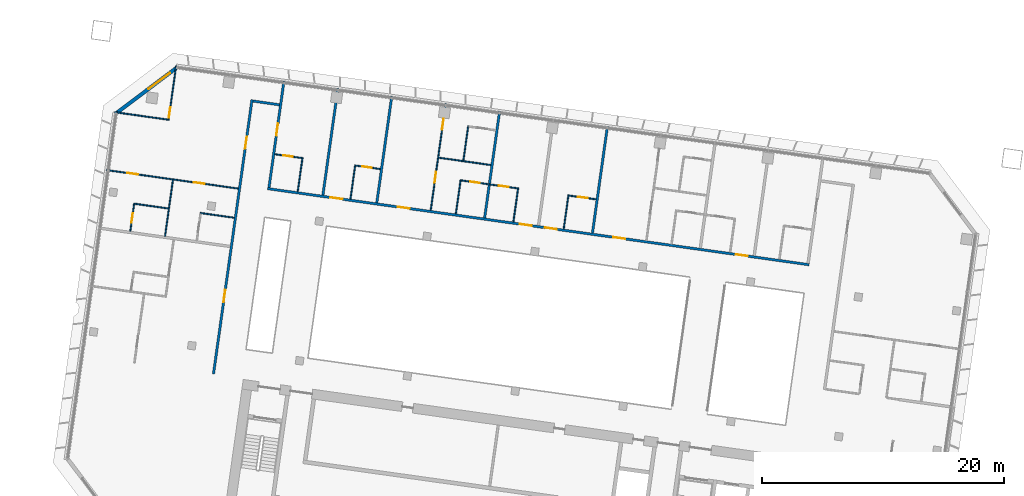
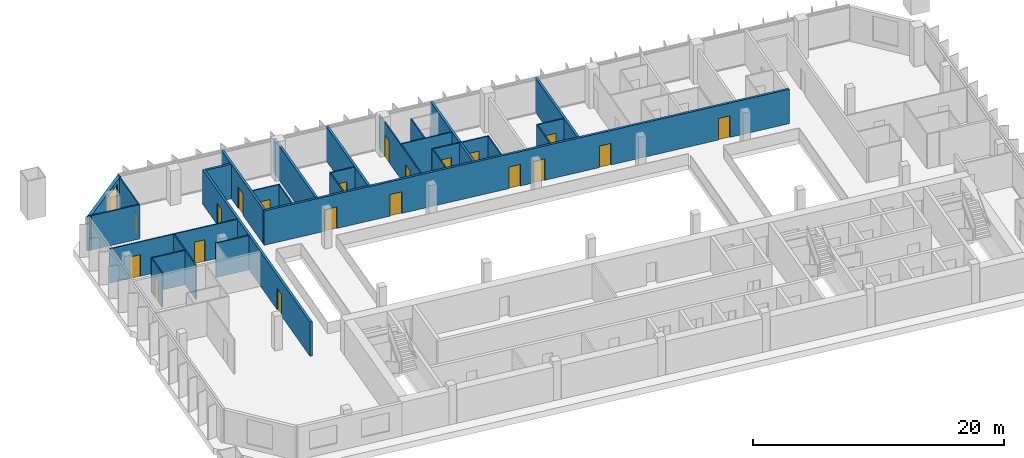
# One storey, part 17 of 26: 28 walls, 20 doors, 1 window, 21 openings.
"""IFC4 building model written with IfcOpenShell, lengths in metres."""

from ifc_helpers import new_model, si_unit, direction, frame, frame_2d, origin, place, context, subcontext, project, spatial, rectangle, extrude, material, layer, layer_set, type_object, element, fill, save


model = new_model("IFC4")

# Units and contexts
model_context = context("Model", 3, precision=1e-05, world=origin(), true_north=direction((0.0, 1.0)))
body_context = subcontext(model_context, "Body", "Model", "MODEL_VIEW")
ifc_project = project(units=[si_unit("LENGTHUNIT", "METRE"), si_unit("AREAUNIT", "SQUARE_METRE"), si_unit("VOLUMEUNIT", "CUBIC_METRE"), si_unit("PLANEANGLEUNIT", "RADIAN"), si_unit("MASSUNIT", "GRAM", prefix="KILO")], contexts=[model_context])

# Site, building, storey
site_placement = place(None, origin())
site = spatial("IfcSite", under=ifc_project, at=site_placement, CompositionType="ELEMENT")
building_placement = place(site_placement, origin())
building = spatial("IfcBuilding", under=site, at=building_placement, Name="Mirante Cascada Hotel Towers", CompositionType="ELEMENT")
storey_placement = place(building_placement, frame((0.0, 0.0, 144.3)))
storey = spatial("IfcBuildingStorey", under=building, at=storey_placement, Name="L33", CompositionType="ELEMENT", Elevation=144.3)

# Wall, openings, doors
ifc_material_1 = material(Name="Fire-rated plasterboard on metal studs")
ifc_layer_1 = layer(ifc_material_1, 0.2)
ifc_layer_set_1 = layer_set([ifc_layer_1], Name="Compartment wall 200 EI 120")
wall_type_1 = type_object("IfcWallType", Name="Compartment wall 200 EI 120", PredefinedType="PARTITIONING", material=ifc_layer_set_1)
wall_1_placement = place(storey_placement, frame((-41.8779, 9.7676, 0.0), z_axis=(0.0, 0.0, 1.0), x_axis=(-0.9902681, 0.1391726, 0.0)))
wall_1 = element("IfcWall", 1, at=wall_1_placement, inside=storey, type_object=wall_type_1, Name="Wall 1-L33-16", PredefinedType="PARTITIONING", context=body_context, shape_type="SweptSolid", body=[
    extrude(rectangle(XDim=45.2, YDim=0.2, at=frame_2d((22.6, 0.0))), origin(), (0.0, 0.0, 1.0), 3.35),
])
opening_1_placement = place(wall_1_placement, frame((5.1063, 0.0, 0.0)))
opening_1 = element("IfcOpeningElement", 2, at=opening_1_placement, cuts=wall_1, Name="Opening D1-L33-06", PredefinedType="OPENING", context=body_context, shape_type="SweptSolid", body=[
    extrude(rectangle(XDim=1.0, YDim=2.1, at=frame_2d((0.5, 1.05))), frame((0.0, 0.1, 0.0), z_axis=(0.0, -1.0, 0.0), x_axis=(1.0, 0.0, 0.0)), (0.0, 0.0, 1.0), 0.2),
])
opening_2_placement = place(wall_1_placement, frame((15.35, 0.0, 0.0)))
opening_2 = element("IfcOpeningElement", 3, at=opening_2_placement, cuts=wall_1, Name="Opening D1-L33-07", PredefinedType="OPENING", context=body_context, shape_type="SweptSolid", body=[
    extrude(rectangle(XDim=1.0, YDim=2.1, at=frame_2d((0.5, 1.05))), frame((0.0, 0.1, 0.0), z_axis=(0.0, -1.0, 0.0), x_axis=(1.0, 0.0, 0.0)), (0.0, 0.0, 1.0), 0.2),
])
opening_3_placement = place(wall_1_placement, frame((21.05, 0.0, 0.0)))
opening_3 = element("IfcOpeningElement", 4, at=opening_3_placement, cuts=wall_1, Name="Opening D1-L33-08", PredefinedType="OPENING", context=body_context, shape_type="SweptSolid", body=[
    extrude(rectangle(XDim=1.0, YDim=2.1, at=frame_2d((0.5, 1.05))), frame((0.0, 0.1, 0.0), z_axis=(0.0, -1.0, 0.0), x_axis=(1.0, 0.0, 0.0)), (0.0, 0.0, 1.0), 0.2),
])
opening_4_placement = place(wall_1_placement, frame((23.15, 0.0, 0.0)))
opening_4 = element("IfcOpeningElement", 5, at=opening_4_placement, cuts=wall_1, Name="Opening D1-L33-09", PredefinedType="OPENING", context=body_context, shape_type="SweptSolid", body=[
    extrude(rectangle(XDim=1.0, YDim=2.1, at=frame_2d((0.5, 1.05))), frame((0.0, 0.1, 0.0), z_axis=(0.0, -1.0, 0.0), x_axis=(1.0, 0.0, 0.0)), (0.0, 0.0, 1.0), 0.2),
])
opening_5_placement = place(wall_1_placement, frame((33.35, 0.0, 0.0)))
opening_5 = element("IfcOpeningElement", 6, at=opening_5_placement, cuts=wall_1, Name="Opening D1-L33-10", PredefinedType="OPENING", context=body_context, shape_type="SweptSolid", body=[
    extrude(rectangle(XDim=1.0, YDim=2.1, at=frame_2d((0.5, 1.05))), frame((0.0, 0.1, 0.0), z_axis=(0.0, -1.0, 0.0), x_axis=(1.0, 0.0, 0.0)), (0.0, 0.0, 1.0), 0.2),
])
opening_6_placement = place(wall_1_placement, frame((38.95, 0.0, 0.0)))
opening_6 = element("IfcOpeningElement", 7, at=opening_6_placement, cuts=wall_1, Name="Opening D1-L33-11", PredefinedType="OPENING", context=body_context, shape_type="SweptSolid", body=[
    extrude(rectangle(XDim=1.0, YDim=2.1, at=frame_2d((0.5, 1.05))), frame((0.0, 0.1, 0.0), z_axis=(0.0, -1.0, 0.0), x_axis=(1.0, 0.0, 0.0)), (0.0, 0.0, 1.0), 0.2),
])
ifc_material_2 = material(Name="Fire-rated timber door leaf", Category="wood")
door_type_1 = type_object("IfcDoorType", Name="Entrance door DG1 1000x2100 EI 60", OperationType="SINGLE_SWING_LEFT", PredefinedType="DOOR", material=ifc_material_2)
door_1_placement = place(opening_1_placement, frame((1.0, 0.0, 0.0), z_axis=(0.0, 0.0, 1.0), x_axis=(-1.0, 0.0, 0.0)))
door_1 = element("IfcDoor", 8, at=door_1_placement, inside=storey, type_object=door_type_1, Name="Door D1-L33-06", OperationType="SINGLE_SWING_RIGHT", OverallHeight=2.1, OverallWidth=1.0, PredefinedType="DOOR", context=body_context, shape_type="SweptSolid", body=[
    extrude(rectangle(XDim=1.0, YDim=2.1, at=frame_2d((0.5, 1.05))), frame((0.0, 0.025, 0.0), z_axis=(0.0, -1.0, 0.0), x_axis=(1.0, 0.0, 0.0)), (0.0, 0.0, 1.0), 0.05),
])
fill(opening_1, door_1)
door_2_placement = place(opening_2_placement, frame((1.0, 0.0, 0.0), z_axis=(0.0, 0.0, 1.0), x_axis=(-1.0, 0.0, 0.0)))
door_2 = element("IfcDoor", 9, at=door_2_placement, inside=storey, type_object=door_type_1, Name="Door D1-L33-07", OperationType="SINGLE_SWING_RIGHT", OverallHeight=2.1, OverallWidth=1.0, PredefinedType="DOOR", context=body_context, shape_type="SweptSolid", body=[
    extrude(rectangle(XDim=1.0, YDim=2.1, at=frame_2d((0.5, 1.05))), frame((0.0, 0.025, 0.0), z_axis=(0.0, -1.0, 0.0), x_axis=(1.0, 0.0, 0.0)), (0.0, 0.0, 1.0), 0.05),
])
fill(opening_2, door_2)
door_3_placement = place(opening_3_placement, frame((1.0, 0.0, 0.0), z_axis=(0.0, 0.0, 1.0), x_axis=(-1.0, 0.0, 0.0)))
door_3 = element("IfcDoor", 10, at=door_3_placement, inside=storey, type_object=door_type_1, Name="Door D1-L33-08", OperationType="SINGLE_SWING_RIGHT", OverallHeight=2.1, OverallWidth=1.0, PredefinedType="DOOR", context=body_context, shape_type="SweptSolid", body=[
    extrude(rectangle(XDim=1.0, YDim=2.1, at=frame_2d((0.5, 1.05))), frame((0.0, 0.025, 0.0), z_axis=(0.0, -1.0, 0.0), x_axis=(1.0, 0.0, 0.0)), (0.0, 0.0, 1.0), 0.05),
])
fill(opening_3, door_3)
door_4_placement = place(opening_4_placement, frame((1.0, 0.0, 0.0), z_axis=(0.0, 0.0, 1.0), x_axis=(-1.0, 0.0, 0.0)))
door_4 = element("IfcDoor", 11, at=door_4_placement, inside=storey, type_object=door_type_1, Name="Door D1-L33-09", OperationType="SINGLE_SWING_RIGHT", OverallHeight=2.1, OverallWidth=1.0, PredefinedType="DOOR", context=body_context, shape_type="SweptSolid", body=[
    extrude(rectangle(XDim=1.0, YDim=2.1, at=frame_2d((0.5, 1.05))), frame((0.0, 0.025, 0.0), z_axis=(0.0, -1.0, 0.0), x_axis=(1.0, 0.0, 0.0)), (0.0, 0.0, 1.0), 0.05),
])
fill(opening_4, door_4)
door_5_placement = place(opening_5_placement, frame((1.0, 0.0, 0.0), z_axis=(0.0, 0.0, 1.0), x_axis=(-1.0, 0.0, 0.0)))
door_5 = element("IfcDoor", 12, at=door_5_placement, inside=storey, type_object=door_type_1, Name="Door D1-L33-10", OperationType="SINGLE_SWING_RIGHT", OverallHeight=2.1, OverallWidth=1.0, PredefinedType="DOOR", context=body_context, shape_type="SweptSolid", body=[
    extrude(rectangle(XDim=1.0, YDim=2.1, at=frame_2d((0.5, 1.05))), frame((0.0, 0.025, 0.0), z_axis=(0.0, -1.0, 0.0), x_axis=(1.0, 0.0, 0.0)), (0.0, 0.0, 1.0), 0.05),
])
fill(opening_5, door_5)
door_6_placement = place(opening_6_placement, frame((1.0, 0.0, 0.0), z_axis=(0.0, 0.0, 1.0), x_axis=(-1.0, 0.0, 0.0)))
door_6 = element("IfcDoor", 13, at=door_6_placement, inside=storey, type_object=door_type_1, Name="Door D1-L33-11", OperationType="SINGLE_SWING_RIGHT", OverallHeight=2.1, OverallWidth=1.0, PredefinedType="DOOR", context=body_context, shape_type="SweptSolid", body=[
    extrude(rectangle(XDim=1.0, YDim=2.1, at=frame_2d((0.5, 1.05))), frame((0.0, 0.025, 0.0), z_axis=(0.0, -1.0, 0.0), x_axis=(1.0, 0.0, 0.0)), (0.0, 0.0, 1.0), 0.05),
])
fill(opening_6, door_6)

# Walls
wall_2_placement = place(storey_placement, frame((-87.8424, 23.2963, 0.0), z_axis=(0.0, 0.0, 1.0), x_axis=(0.990267, -0.139181, 0.0)))
element("IfcWall", 14, at=wall_2_placement, inside=storey, type_object=wall_type_1, Name="Wall 1-L33-27", PredefinedType="PARTITIONING", context=body_context, shape_type="SweptSolid", body=[
    extrude(rectangle(XDim=2.2, YDim=0.2, at=frame_2d((1.1, 0.0))), origin(), (0.0, 0.0, 1.0), 3.35),
])
wall_3_placement = place(storey_placement, frame((-59.7878, 12.3857, 0.0), z_axis=(0.0, 0.0, 1.0), x_axis=(0.13917, 0.9902685, 0.0)))
element("IfcWall", 15, at=wall_3_placement, inside=storey, type_object=wall_type_1, Name="Wall 1-L33-44", PredefinedType="PARTITIONING", context=body_context, shape_type="SweptSolid", body=[
    extrude(rectangle(XDim=8.8999, YDim=0.2, at=frame_2d((4.45, 0.0))), origin(), (0.0, 0.0, 1.0), 3.35),
])
for number, where, z_axis, x_axis, name in (
    (16, (-68.7002, 13.6382, 0.0), (0.0, 0.0, 1.0), (0.1391684, 0.9902687, 0.0), "Wall 1-L33-48"),
    (17, (-77.6126, 14.8908, 0.0), (0.0, 0.0, 1.0), (0.1391684, 0.9902687, 0.0), "Wall 1-L33-52"),
):
    element("IfcWall", number, at=place(storey_placement, frame(where, z_axis=z_axis, x_axis=x_axis)), inside=storey, type_object=wall_type_1, Name=name, PredefinedType="PARTITIONING", context=body_context, shape_type="SweptSolid", body=[
        extrude(rectangle(XDim=8.9, YDim=0.2, at=frame_2d((4.45, 0.0))), origin(), (0.0, 0.0, 1.0), 3.35),
    ])
wall_4_placement = place(storey_placement, frame((-82.0688, 15.5171, 0.0), z_axis=(0.0, 0.0, 1.0), x_axis=(0.13917, 0.9902685, 0.0)))
element("IfcWall", 18, at=wall_4_placement, inside=storey, type_object=wall_type_1, Name="Wall 1-L33-54", PredefinedType="PARTITIONING", context=body_context, shape_type="SweptSolid", body=[
    extrude(rectangle(XDim=8.8999, YDim=0.2, at=frame_2d((4.45, 0.0))), origin(), (0.0, 0.0, 1.0), 3.35),
])

# Wall, opening, door
wall_5_placement = place(storey_placement, frame((-86.525, 16.1433, 0.0), z_axis=(0.0, 0.0, 1.0), x_axis=(0.1391684, 0.9902687, 0.0)))
wall_5 = element("IfcWall", 19, at=wall_5_placement, inside=storey, type_object=wall_type_1, Name="Wall 1-L33-56", PredefinedType="PARTITIONING", context=body_context, shape_type="SweptSolid", body=[
    extrude(rectangle(XDim=8.9, YDim=0.2, at=frame_2d((4.45, 0.0))), origin(), (0.0, 0.0, 1.0), 3.35),
])
opening_7_placement = place(wall_5_placement, frame((4.35, 0.0, 0.0)))
opening_7 = element("IfcOpeningElement", 20, at=opening_7_placement, cuts=wall_5, Name="Opening D1-L33-32", PredefinedType="OPENING", context=body_context, shape_type="SweptSolid", body=[
    extrude(rectangle(XDim=1.0, YDim=2.1, at=frame_2d((0.5, 1.05))), frame((0.0, 0.1, 0.0), z_axis=(0.0, -1.0, 0.0), x_axis=(1.0, 0.0, 0.0)), (0.0, 0.0, 1.0), 0.2),
])
door_7_placement = place(opening_7_placement, frame((1.0, 0.0, 0.0), z_axis=(0.0, 0.0, 1.0), x_axis=(-1.0, 0.0, 0.0)))
door_7 = element("IfcDoor", 21, at=door_7_placement, inside=storey, type_object=door_type_1, Name="Door D1-L33-32", OperationType="SINGLE_SWING_RIGHT", OverallHeight=2.1, OverallWidth=1.0, PredefinedType="DOOR", context=body_context, shape_type="SweptSolid", body=[
    extrude(rectangle(XDim=1.0, YDim=2.1, at=frame_2d((0.5, 1.05))), frame((0.0, 0.025, 0.0), z_axis=(0.0, -1.0, 0.0), x_axis=(1.0, 0.0, 0.0)), (0.0, 0.0, 1.0), 0.05),
])
fill(opening_7, door_7)

# Wall, openings, doors
wall_6_placement = place(storey_placement, frame((-87.9275, 23.4092, 0.0), z_axis=(0.0, 0.0, 1.0), x_axis=(-0.1391706, -0.9902684, 0.0)))
wall_6 = element("IfcWall", 22, at=wall_6_placement, inside=storey, type_object=wall_type_1, Name="Wall 1-L33-57", PredefinedType="PARTITIONING", context=body_context, shape_type="SweptSolid", body=[
    extrude(rectangle(XDim=22.9, YDim=0.2, at=frame_2d((11.45, 0.0))), origin(), (0.0, 0.0, 1.0), 3.35),
])
opening_8_placement = place(wall_6_placement, frame((15.8834, 0.0, 0.0)))
opening_8 = element("IfcOpeningElement", 23, at=opening_8_placement, cuts=wall_6, Name="Opening D1-L33-33", PredefinedType="OPENING", context=body_context, shape_type="SweptSolid", body=[
    extrude(rectangle(XDim=1.0, YDim=2.1, at=frame_2d((0.5, 1.05))), frame((0.0, 0.1, 0.0), z_axis=(0.0, -1.0, 0.0), x_axis=(1.0, 0.0, 0.0)), (0.0, 0.0, 1.0), 0.2),
])
opening_9_placement = place(wall_6_placement, frame((3.1, 0.0, 0.0)))
opening_9 = element("IfcOpeningElement", 24, at=opening_9_placement, cuts=wall_6, Name="Opening D1-L33-34", PredefinedType="OPENING", context=body_context, shape_type="SweptSolid", body=[
    extrude(rectangle(XDim=1.0, YDim=2.1, at=frame_2d((0.5, 1.05))), frame((0.0, 0.1, 0.0), z_axis=(0.0, -1.0, 0.0), x_axis=(1.0, 0.0, 0.0)), (0.0, 0.0, 1.0), 0.2),
])
door_8_placement = place(opening_8_placement, frame((1.0, 0.0, 0.0), z_axis=(0.0, 0.0, 1.0), x_axis=(-1.0, 0.0, 0.0)))
door_8 = element("IfcDoor", 25, at=door_8_placement, inside=storey, type_object=door_type_1, Name="Door D1-L33-33", OperationType="SINGLE_SWING_RIGHT", OverallHeight=2.1, OverallWidth=1.0, PredefinedType="DOOR", context=body_context, shape_type="SweptSolid", body=[
    extrude(rectangle(XDim=1.0, YDim=2.1, at=frame_2d((0.5, 1.05))), frame((0.0, 0.025, 0.0), z_axis=(0.0, -1.0, 0.0), x_axis=(1.0, 0.0, 0.0)), (0.0, 0.0, 1.0), 0.05),
])
fill(opening_8, door_8)
door_9_placement = place(opening_9_placement, frame((1.0, 0.0, 0.0), z_axis=(0.0, 0.0, 1.0), x_axis=(-1.0, 0.0, 0.0)))
door_9 = element("IfcDoor", 26, at=door_9_placement, inside=storey, type_object=door_type_1, Name="Door D1-L33-34", OperationType="SINGLE_SWING_RIGHT", OverallHeight=2.1, OverallWidth=1.0, PredefinedType="DOOR", context=body_context, shape_type="SweptSolid", body=[
    extrude(rectangle(XDim=1.0, YDim=2.1, at=frame_2d((0.5, 1.05))), frame((0.0, 0.025, 0.0), z_axis=(0.0, -1.0, 0.0), x_axis=(1.0, 0.0, 0.0)), (0.0, 0.0, 1.0), 0.05),
])
fill(opening_9, door_9)

# Walls
ifc_material_3 = material(Name="Plasterboard on metal studs")
ifc_layer_2 = layer(ifc_material_3, 0.1)
ifc_layer_set_2 = layer_set([ifc_layer_2], Name="Partition 100")
wall_type_2 = type_object("IfcWallType", Name="Partition 100", PredefinedType="PARTITIONING", material=ifc_layer_set_2)
wall_7_placement = place(storey_placement, frame((-92.2219, 14.0491, 0.0), z_axis=(0.0, 0.0, 1.0), x_axis=(0.9902697, -0.1391613, 0.0)))
element("IfcWall", 27, at=wall_7_placement, inside=storey, type_object=wall_type_2, Name="Wall 1-L33-13", PredefinedType="PARTITIONING", context=body_context, shape_type="SweptSolid", body=[
    extrude(rectangle(XDim=2.8499, YDim=0.1, at=frame_2d((1.425, 0.0))), origin(), (0.0, 0.0, 1.0), 3.35),
])
wall_8_placement = place(storey_placement, frame((-94.8461, 14.4179, 0.0), z_axis=(0.0, 0.0, 1.0), x_axis=(-0.9902683, 0.1391714, 0.0)))
element("IfcWall", 28, at=wall_8_placement, inside=storey, type_object=wall_type_2, Name="Wall 1-L33-14", PredefinedType="PARTITIONING", context=body_context, shape_type="SweptSolid", body=[
    extrude(rectangle(XDim=2.9, YDim=0.1, at=frame_2d((1.45, 0.0))), origin(), (0.0, 0.0, 1.0), 3.35),
])

# Wall, openings, doors
wall_9_placement = place(storey_placement, frame((-99.954, 17.5931, 0.0), z_axis=(0.0, 0.0, 1.0), x_axis=(0.9902682, -0.1391721, 0.0)))
wall_9 = element("IfcWall", 29, at=wall_9_placement, inside=storey, type_object=wall_type_2, Name="Wall 1-L33-15", PredefinedType="PARTITIONING", context=body_context, shape_type="SweptSolid", body=[
    extrude(rectangle(XDim=11.0001, YDim=0.1, at=frame_2d((5.5, 0.0))), origin(), (0.0, 0.0, 1.0), 3.35),
])
opening_10_placement = place(wall_9_placement, frame((7.275, 0.0, 0.0)))
opening_10 = element("IfcOpeningElement", 30, at=opening_10_placement, cuts=wall_9, Name="Opening D1-L33-04", PredefinedType="OPENING", context=body_context, shape_type="SweptSolid", body=[
    extrude(rectangle(XDim=0.9, YDim=2.1, at=frame_2d((0.45, 1.05))), frame((0.0, 0.05, 0.0), z_axis=(0.0, -1.0, 0.0), x_axis=(1.0, 0.0, 0.0)), (0.0, 0.0, 1.0), 0.1),
])
opening_11_placement = place(wall_9_placement, frame((1.725, 0.0, 0.0)))
opening_11 = element("IfcOpeningElement", 31, at=opening_11_placement, cuts=wall_9, Name="Opening D1-L33-05", PredefinedType="OPENING", context=body_context, shape_type="SweptSolid", body=[
    extrude(rectangle(XDim=0.9, YDim=2.1, at=frame_2d((0.45, 1.05))), frame((0.0, 0.05, 0.0), z_axis=(0.0, -1.0, 0.0), x_axis=(1.0, 0.0, 0.0)), (0.0, 0.0, 1.0), 0.1),
])
ifc_material_4 = material(Name="Timber door leaf", Category="wood")
door_type_2 = type_object("IfcDoorType", Name="Room door DG3 900x2100", OperationType="SINGLE_SWING_LEFT", PredefinedType="DOOR", material=ifc_material_4)
door_10_placement = place(opening_10_placement, origin())
door_10 = element("IfcDoor", 32, at=door_10_placement, inside=storey, type_object=door_type_2, Name="Door D1-L33-04", OperationType="SINGLE_SWING_LEFT", OverallHeight=2.1, OverallWidth=0.9, PredefinedType="DOOR", context=body_context, shape_type="SweptSolid", body=[
    extrude(rectangle(XDim=0.9, YDim=2.1, at=frame_2d((0.45, 1.05))), frame((0.0, 0.025, 0.0), z_axis=(0.0, -1.0, 0.0), x_axis=(1.0, 0.0, 0.0)), (0.0, 0.0, 1.0), 0.05),
])
fill(opening_10, door_10)
door_11_placement = place(opening_11_placement, origin())
door_11 = element("IfcDoor", 33, at=door_11_placement, inside=storey, type_object=door_type_2, Name="Door D1-L33-05", OperationType="SINGLE_SWING_LEFT", OverallHeight=2.1, OverallWidth=0.9, PredefinedType="DOOR", context=body_context, shape_type="SweptSolid", body=[
    extrude(rectangle(XDim=0.9, YDim=2.1, at=frame_2d((0.45, 1.05))), frame((0.0, 0.025, 0.0), z_axis=(0.0, -1.0, 0.0), x_axis=(1.0, 0.0, 0.0)), (0.0, 0.0, 1.0), 0.05),
])
fill(opening_11, door_11)

# Wall, opening, door
wall_10_placement = place(storey_placement, frame((-61.7252, 15.4855, 0.0), z_axis=(0.0, 0.0, 1.0), x_axis=(0.9902643, -0.1391997, 0.0)))
wall_10 = element("IfcWall", 34, at=wall_10_placement, inside=storey, type_object=wall_type_2, Name="Wall 1-L33-19", PredefinedType="PARTITIONING", context=body_context, shape_type="SweptSolid", body=[
    extrude(rectangle(XDim=2.25, YDim=0.1, at=frame_2d((1.125, 0.0))), origin(), (0.0, 0.0, 1.0), 3.35),
])
opening_12_placement = place(wall_10_placement, frame((0.75, 0.0, 0.0)))
opening_12 = element("IfcOpeningElement", 35, at=opening_12_placement, cuts=wall_10, Name="Opening D1-L33-15", PredefinedType="OPENING", context=body_context, shape_type="SweptSolid", body=[
    extrude(rectangle(XDim=0.8, YDim=2.1, at=frame_2d((0.4, 1.05))), frame((0.0, 0.05, 0.0), z_axis=(0.0, -1.0, 0.0), x_axis=(1.0, 0.0, 0.0)), (0.0, 0.0, 1.0), 0.1),
])
ifc_material_5 = material(Name="Timber door leaf", Category="wood")
door_type_3 = type_object("IfcDoorType", Name="Bathroom door DG4 800x2100", OperationType="SINGLE_SWING_LEFT", PredefinedType="DOOR", material=ifc_material_5)
door_12_placement = place(opening_12_placement, origin())
door_12 = element("IfcDoor", 36, at=door_12_placement, inside=storey, type_object=door_type_3, Name="Door D1-L33-15", OperationType="SINGLE_SWING_LEFT", OverallHeight=2.1, OverallWidth=0.8, PredefinedType="DOOR", context=body_context, shape_type="SweptSolid", body=[
    extrude(rectangle(XDim=0.8, YDim=2.1, at=frame_2d((0.4, 1.05))), frame((0.0, 0.025, 0.0), z_axis=(0.0, -1.0, 0.0), x_axis=(1.0, 0.0, 0.0)), (0.0, 0.0, 1.0), 0.05),
])
fill(opening_12, door_12)

# Wall, openings, doors
wall_11_placement = place(storey_placement, frame((-65.8844, 16.07, 0.0), z_axis=(0.0, 0.0, 1.0), x_axis=(-0.9902694, 0.1391638, 0.0)))
wall_11 = element("IfcWall", 37, at=wall_11_placement, inside=storey, type_object=wall_type_2, Name="Wall 1-L33-20", PredefinedType="PARTITIONING", context=body_context, shape_type="SweptSolid", body=[
    extrude(rectangle(XDim=4.9, YDim=0.1, at=frame_2d((2.45, 0.0))), origin(), (0.0, 0.0, 1.0), 3.35),
])
opening_13_placement = place(wall_11_placement, frame((0.85, 0.0, 0.0)))
opening_13 = element("IfcOpeningElement", 38, at=opening_13_placement, cuts=wall_11, Name="Opening D1-L33-16", PredefinedType="OPENING", context=body_context, shape_type="SweptSolid", body=[
    extrude(rectangle(XDim=0.8, YDim=2.1, at=frame_2d((0.4, 1.05))), frame((0.0, 0.05, 0.0), z_axis=(0.0, -1.0, 0.0), x_axis=(1.0, 0.0, 0.0)), (0.0, 0.0, 1.0), 0.1),
])
opening_14_placement = place(wall_11_placement, frame((3.25, 0.0, 0.0)))
opening_14 = element("IfcOpeningElement", 39, at=opening_14_placement, cuts=wall_11, Name="Opening D1-L33-17", PredefinedType="OPENING", context=body_context, shape_type="SweptSolid", body=[
    extrude(rectangle(XDim=0.8, YDim=2.1, at=frame_2d((0.4, 1.05))), frame((0.0, 0.05, 0.0), z_axis=(0.0, -1.0, 0.0), x_axis=(1.0, 0.0, 0.0)), (0.0, 0.0, 1.0), 0.1),
])
door_13_placement = place(opening_13_placement, frame((0.8, 0.0, 0.0), z_axis=(0.0, 0.0, 1.0), x_axis=(-1.0, 0.0, 0.0)))
door_13 = element("IfcDoor", 40, at=door_13_placement, inside=storey, type_object=door_type_3, Name="Door D1-L33-16", OperationType="SINGLE_SWING_RIGHT", OverallHeight=2.1, OverallWidth=0.8, PredefinedType="DOOR", context=body_context, shape_type="SweptSolid", body=[
    extrude(rectangle(XDim=0.8, YDim=2.1, at=frame_2d((0.4, 1.05))), frame((0.0, 0.025, 0.0), z_axis=(0.0, -1.0, 0.0), x_axis=(1.0, 0.0, 0.0)), (0.0, 0.0, 1.0), 0.05),
])
fill(opening_13, door_13)
door_14_placement = place(opening_14_placement, origin())
door_14 = element("IfcDoor", 41, at=door_14_placement, inside=storey, type_object=door_type_3, Name="Door D1-L33-17", OperationType="SINGLE_SWING_LEFT", OverallHeight=2.1, OverallWidth=0.8, PredefinedType="DOOR", context=body_context, shape_type="SweptSolid", body=[
    extrude(rectangle(XDim=0.8, YDim=2.1, at=frame_2d((0.4, 1.05))), frame((0.0, 0.025, 0.0), z_axis=(0.0, -1.0, 0.0), x_axis=(1.0, 0.0, 0.0)), (0.0, 0.0, 1.0), 0.05),
])
fill(opening_14, door_14)

# Wall, opening, door
wall_12_placement = place(storey_placement, frame((-79.352, 17.9627, 0.0), z_axis=(0.0, 0.0, 1.0), x_axis=(0.9902679, -0.1391741, 0.0)))
wall_12 = element("IfcWall", 42, at=wall_12_placement, inside=storey, type_object=wall_type_2, Name="Wall 1-L33-21", PredefinedType="PARTITIONING", context=body_context, shape_type="SweptSolid", body=[
    extrude(rectangle(XDim=2.05, YDim=0.1, at=frame_2d((1.025, 0.0))), origin(), (0.0, 0.0, 1.0), 3.35),
])
opening_15_placement = place(wall_12_placement, frame((0.55, 0.0, 0.0)))
opening_15 = element("IfcOpeningElement", 43, at=opening_15_placement, cuts=wall_12, Name="Opening D1-L33-18", PredefinedType="OPENING", context=body_context, shape_type="SweptSolid", body=[
    extrude(rectangle(XDim=0.8, YDim=2.1, at=frame_2d((0.4, 1.05))), frame((0.0, 0.05, 0.0), z_axis=(0.0, -1.0, 0.0), x_axis=(1.0, 0.0, 0.0)), (0.0, 0.0, 1.0), 0.1),
])
door_15_placement = place(opening_15_placement, origin())
door_15 = element("IfcDoor", 44, at=door_15_placement, inside=storey, type_object=door_type_3, Name="Door D1-L33-18", OperationType="SINGLE_SWING_LEFT", OverallHeight=2.1, OverallWidth=0.8, PredefinedType="DOOR", context=body_context, shape_type="SweptSolid", body=[
    extrude(rectangle(XDim=0.8, YDim=2.1, at=frame_2d((0.4, 1.05))), frame((0.0, 0.025, 0.0), z_axis=(0.0, -1.0, 0.0), x_axis=(1.0, 0.0, 0.0)), (0.0, 0.0, 1.0), 0.05),
])
fill(opening_15, door_15)

wall_13_placement = place(storey_placement, frame((-83.8082, 18.589, 0.0), z_axis=(0.0, 0.0, 1.0), x_axis=(-0.9902643, 0.1391997, 0.0)))
wall_13 = element("IfcWall", 45, at=wall_13_placement, inside=storey, type_object=wall_type_2, Name="Wall 1-L33-22", PredefinedType="PARTITIONING", context=body_context, shape_type="SweptSolid", body=[
    extrude(rectangle(XDim=2.25, YDim=0.1, at=frame_2d((1.125, 0.0))), origin(), (0.0, 0.0, 1.0), 3.35),
])
opening_16_placement = place(wall_13_placement, frame((0.75, 0.0, 0.0)))
opening_16 = element("IfcOpeningElement", 46, at=opening_16_placement, cuts=wall_13, Name="Opening D1-L33-19", PredefinedType="OPENING", context=body_context, shape_type="SweptSolid", body=[
    extrude(rectangle(XDim=0.8, YDim=2.1, at=frame_2d((0.4, 1.05))), frame((0.0, 0.05, 0.0), z_axis=(0.0, -1.0, 0.0), x_axis=(1.0, 0.0, 0.0)), (0.0, 0.0, 1.0), 0.1),
])
door_16_placement = place(opening_16_placement, frame((0.8, 0.0, 0.0), z_axis=(0.0, 0.0, 1.0), x_axis=(-1.0, 0.0, 0.0)))
door_16 = element("IfcDoor", 47, at=door_16_placement, inside=storey, type_object=door_type_3, Name="Door D1-L33-19", OperationType="SINGLE_SWING_RIGHT", OverallHeight=2.1, OverallWidth=0.8, PredefinedType="DOOR", context=body_context, shape_type="SweptSolid", body=[
    extrude(rectangle(XDim=0.8, YDim=2.1, at=frame_2d((0.4, 1.05))), frame((0.0, 0.025, 0.0), z_axis=(0.0, -1.0, 0.0), x_axis=(1.0, 0.0, 0.0)), (0.0, 0.0, 1.0), 0.05),
])
fill(opening_16, door_16)

# Walls
wall_14_placement = place(storey_placement, frame((-68.1869, 18.0093, 0.0), z_axis=(0.0, 0.0, 1.0), x_axis=(-0.9902679, 0.1391745, 0.0)))
element("IfcWall", 48, at=wall_14_placement, inside=storey, type_object=wall_type_2, Name="Wall 1-L33-24", PredefinedType="PARTITIONING", context=body_context, shape_type="SweptSolid", body=[
    extrude(rectangle(XDim=4.3499, YDim=0.1, at=frame_2d((2.175, 0.0))), origin(), (0.0, 0.0, 1.0), 3.35),
])
wall_15_placement = place(storey_placement, frame((-99.2813, 22.3794, 0.0), z_axis=(0.0, 0.0, 1.0), x_axis=(0.9902661, -0.1391871, 0.0)))
element("IfcWall", 49, at=wall_15_placement, inside=storey, type_object=wall_type_2, Name="Wall 1-L33-25", PredefinedType="PARTITIONING", context=body_context, shape_type="SweptSolid", body=[
    extrude(rectangle(XDim=4.55, YDim=0.1, at=frame_2d((2.275, 0.0))), origin(), (0.0, 0.0, 1.0), 3.35),
])
wall_16_placement = place(storey_placement, frame((-61.7678, 15.5419, 0.0), z_axis=(0.0, 0.0, 1.0), x_axis=(-0.1391613, -0.9902697, 0.0)))
element("IfcWall", 50, at=wall_16_placement, inside=storey, type_object=wall_type_2, Name="Wall 1-L33-45", PredefinedType="PARTITIONING", context=body_context, shape_type="SweptSolid", body=[
    extrude(rectangle(XDim=2.8499, YDim=0.1, at=frame_2d((1.425, 0.0))), origin(), (0.0, 0.0, 1.0), 3.35),
])
wall_17_placement = place(storey_placement, frame((-65.9408, 16.0274, 0.0), z_axis=(0.0, 0.0, 1.0), x_axis=(-0.1392013, -0.9902641, 0.0)))
element("IfcWall", 51, at=wall_17_placement, inside=storey, type_object=wall_type_2, Name="Wall 1-L33-47", PredefinedType="PARTITIONING", context=body_context, shape_type="SweptSolid", body=[
    extrude(rectangle(XDim=2.75, YDim=0.1, at=frame_2d((1.375, 0.0))), origin(), (0.0, 0.0, 1.0), 3.35),
])
wall_18_placement = place(storey_placement, frame((-70.6941, 16.6955, 0.0), z_axis=(0.0, 0.0, 1.0), x_axis=(-0.1391963, -0.9902648, 0.0)))
element("IfcWall", 52, at=wall_18_placement, inside=storey, type_object=wall_type_2, Name="Wall 1-L33-49", PredefinedType="PARTITIONING", context=body_context, shape_type="SweptSolid", body=[
    extrude(rectangle(XDim=2.7501, YDim=0.1, at=frame_2d((1.3751, 0.0))), origin(), (0.0, 0.0, 1.0), 3.35),
])
wall_19_placement = place(storey_placement, frame((-70.4575, 18.3789, 0.0), z_axis=(0.0, 0.0, 1.0), x_axis=(0.1391714, 0.9902683, 0.0)))
element("IfcWall", 53, at=wall_19_placement, inside=storey, type_object=wall_type_2, Name="Wall 1-L33-50", PredefinedType="PARTITIONING", context=body_context, shape_type="SweptSolid", body=[
    extrude(rectangle(XDim=2.9, YDim=0.1, at=frame_2d((1.45, 0.0))), origin(), (0.0, 0.0, 1.0), 3.35),
])

# Wall, openings, doors
wall_20_placement = place(storey_placement, frame((-71.9178, 23.0779, 0.0), z_axis=(0.0, 0.0, 1.0), x_axis=(-0.1391684, -0.9902687, 0.0)))
wall_20 = element("IfcWall", 54, at=wall_20_placement, inside=storey, type_object=wall_type_2, Name="Wall 1-L33-51", PredefinedType="PARTITIONING", context=body_context, shape_type="SweptSolid", body=[
    extrude(rectangle(XDim=8.9, YDim=0.1, at=frame_2d((4.45, 0.0))), origin(), (0.0, 0.0, 1.0), 3.35),
])
opening_17_placement = place(wall_20_placement, frame((5.7, 0.0, 0.0)))
opening_17 = element("IfcOpeningElement", 55, at=opening_17_placement, cuts=wall_20, Name="Opening D1-L33-30", PredefinedType="OPENING", context=body_context, shape_type="SweptSolid", body=[
    extrude(rectangle(XDim=0.9, YDim=2.1, at=frame_2d((0.45, 1.05))), frame((0.0, 0.05, 0.0), z_axis=(0.0, -1.0, 0.0), x_axis=(1.0, 0.0, 0.0)), (0.0, 0.0, 1.0), 0.1),
])
opening_18_placement = place(wall_20_placement, frame((1.25, 0.0, 0.0)))
opening_18 = element("IfcOpeningElement", 56, at=opening_18_placement, cuts=wall_20, Name="Opening D1-L33-31", PredefinedType="OPENING", context=body_context, shape_type="SweptSolid", body=[
    extrude(rectangle(XDim=0.9, YDim=2.1, at=frame_2d((0.45, 1.05))), frame((0.0, 0.05, 0.0), z_axis=(0.0, -1.0, 0.0), x_axis=(1.0, 0.0, 0.0)), (0.0, 0.0, 1.0), 0.1),
])
door_17_placement = place(opening_17_placement, frame((0.9, 0.0, 0.0), z_axis=(0.0, 0.0, 1.0), x_axis=(-1.0, 0.0, 0.0)))
door_17 = element("IfcDoor", 57, at=door_17_placement, inside=storey, type_object=door_type_2, Name="Door D1-L33-30", OperationType="SINGLE_SWING_RIGHT", OverallHeight=2.1, OverallWidth=0.9, PredefinedType="DOOR", context=body_context, shape_type="SweptSolid", body=[
    extrude(rectangle(XDim=0.9, YDim=2.1, at=frame_2d((0.45, 1.05))), frame((0.0, 0.025, 0.0), z_axis=(0.0, -1.0, 0.0), x_axis=(1.0, 0.0, 0.0)), (0.0, 0.0, 1.0), 0.05),
])
fill(opening_17, door_17)
door_18_placement = place(opening_18_placement, frame((0.9, 0.0, 0.0), z_axis=(0.0, 0.0, 1.0), x_axis=(-1.0, 0.0, 0.0)))
door_18 = element("IfcDoor", 58, at=door_18_placement, inside=storey, type_object=door_type_2, Name="Door D1-L33-31", OperationType="SINGLE_SWING_RIGHT", OverallHeight=2.1, OverallWidth=0.9, PredefinedType="DOOR", context=body_context, shape_type="SweptSolid", body=[
    extrude(rectangle(XDim=0.9, YDim=2.1, at=frame_2d((0.45, 1.05))), frame((0.0, 0.025, 0.0), z_axis=(0.0, -1.0, 0.0), x_axis=(1.0, 0.0, 0.0)), (0.0, 0.0, 1.0), 0.05),
])
fill(opening_18, door_18)

# Walls
wall_21_placement = place(storey_placement, frame((-79.3946, 18.0192, 0.0), z_axis=(0.0, 0.0, 1.0), x_axis=(-0.1391613, -0.9902697, 0.0)))
element("IfcWall", 59, at=wall_21_placement, inside=storey, type_object=wall_type_2, Name="Wall 1-L33-53", PredefinedType="PARTITIONING", context=body_context, shape_type="SweptSolid", body=[
    extrude(rectangle(XDim=2.8499, YDim=0.1, at=frame_2d((1.425, 0.0))), origin(), (0.0, 0.0, 1.0), 3.35),
])
wall_22_placement = place(storey_placement, frame((-83.7517, 18.6316, 0.0), z_axis=(0.0, 0.0, 1.0), x_axis=(-0.1391909, -0.9902656, 0.0)))
element("IfcWall", 60, at=wall_22_placement, inside=storey, type_object=wall_type_2, Name="Wall 1-L33-55", PredefinedType="PARTITIONING", context=body_context, shape_type="SweptSolid", body=[
    extrude(rectangle(XDim=2.85, YDim=0.1, at=frame_2d((1.425, 0.0))), origin(), (0.0, 0.0, 1.0), 3.35),
])
wall_23_placement = place(storey_placement, frame((-95.1167, 12.1333, 0.0), z_axis=(0.0, 0.0, 1.0), x_axis=(0.1391701, 0.9902685, 0.0)))
element("IfcWall", 61, at=wall_23_placement, inside=storey, type_object=wall_type_2, Name="Wall 1-L33-60", PredefinedType="PARTITIONING", context=body_context, shape_type="SweptSolid", body=[
    extrude(rectangle(XDim=4.6835, YDim=0.1, at=frame_2d((2.3418, 0.0))), origin(), (0.0, 0.0, 1.0), 3.35),
])

# Wall, opening, door
wall_24_placement = place(storey_placement, frame((-94.8181, 21.8026, 0.0), z_axis=(0.0, 0.0, 1.0), x_axis=(0.1391684, 0.9902687, 0.0)))
wall_24 = element("IfcWall", 62, at=wall_24_placement, inside=storey, type_object=wall_type_2, Name="Wall 1-L33-62", PredefinedType="PARTITIONING", context=body_context, shape_type="SweptSolid", body=[
    extrude(rectangle(XDim=4.45, YDim=0.1, at=frame_2d((2.225, 0.0))), origin(), (0.0, 0.0, 1.0), 3.35),
])
opening_19_placement = place(wall_24_placement, frame((0.1, 0.0, 0.0)))
opening_19 = element("IfcOpeningElement", 63, at=opening_19_placement, cuts=wall_24, Name="Opening D1-L33-38", PredefinedType="OPENING", context=body_context, shape_type="SweptSolid", body=[
    extrude(rectangle(XDim=0.9, YDim=2.1, at=frame_2d((0.45, 1.05))), frame((0.0, 0.05, 0.0), z_axis=(0.0, -1.0, 0.0), x_axis=(1.0, 0.0, 0.0)), (0.0, 0.0, 1.0), 0.1),
])
door_19_placement = place(opening_19_placement, frame((0.9, 0.0, 0.0), z_axis=(0.0, 0.0, 1.0), x_axis=(-1.0, 0.0, 0.0)))
door_19 = element("IfcDoor", 64, at=door_19_placement, inside=storey, type_object=door_type_2, Name="Door D1-L33-38", OperationType="SINGLE_SWING_RIGHT", OverallHeight=2.1, OverallWidth=0.9, PredefinedType="DOOR", context=body_context, shape_type="SweptSolid", body=[
    extrude(rectangle(XDim=0.9, YDim=2.1, at=frame_2d((0.45, 1.05))), frame((0.0, 0.025, 0.0), z_axis=(0.0, -1.0, 0.0), x_axis=(1.0, 0.0, 0.0)), (0.0, 0.0, 1.0), 0.05),
])
fill(opening_19, door_19)

wall_25_placement = place(storey_placement, frame((-97.9885, 12.5369, 0.0), z_axis=(0.0, 0.0, 1.0), x_axis=(0.1391561, 0.9902705, 0.0)))
wall_25 = element("IfcWall", 65, at=wall_25_placement, inside=storey, type_object=wall_type_2, Name="Wall 1-L33-64", PredefinedType="PARTITIONING", context=body_context, shape_type="SweptSolid", body=[
    extrude(rectangle(XDim=2.25, YDim=0.1, at=frame_2d((1.125, 0.0))), origin(), (0.0, 0.0, 1.0), 3.35),
])
opening_20_placement = place(wall_25_placement, frame((0.7, 0.0, 0.0)))
opening_20 = element("IfcOpeningElement", 66, at=opening_20_placement, cuts=wall_25, Name="Opening D1-L33-40", PredefinedType="OPENING", context=body_context, shape_type="SweptSolid", body=[
    extrude(rectangle(XDim=0.8, YDim=2.1, at=frame_2d((0.4, 1.05))), frame((0.0, 0.05, 0.0), z_axis=(0.0, -1.0, 0.0), x_axis=(1.0, 0.0, 0.0)), (0.0, 0.0, 1.0), 0.1),
])
door_20_placement = place(opening_20_placement, frame((0.8, 0.0, 0.0), z_axis=(0.0, 0.0, 1.0), x_axis=(-1.0, 0.0, 0.0)))
door_20 = element("IfcDoor", 67, at=door_20_placement, inside=storey, type_object=door_type_3, Name="Door D1-L33-40", OperationType="SINGLE_SWING_RIGHT", OverallHeight=2.1, OverallWidth=0.8, PredefinedType="DOOR", context=body_context, shape_type="SweptSolid", body=[
    extrude(rectangle(XDim=0.8, YDim=2.1, at=frame_2d((0.4, 1.05))), frame((0.0, 0.025, 0.0), z_axis=(0.0, -1.0, 0.0), x_axis=(1.0, 0.0, 0.0)), (0.0, 0.0, 1.0), 0.05),
])
fill(opening_20, door_20)

# Wall, opening, window
ifc_material_6 = material(Name="Precast concrete C40/50", Category="concrete")
ifc_layer_3 = layer(ifc_material_6, 0.3)
ifc_layer_set_3 = layer_set([ifc_layer_3], Name="Precast concrete C40/50 cladding wall 300")
wall_type_3 = type_object("IfcWallType", Name="Precast concrete C40/50 cladding wall 300", PredefinedType="STANDARD", material=ifc_layer_set_3)
wall_26_placement = place(storey_placement, frame((-99.0919, 22.3343, 0.0), z_axis=(0.0, 0.0, 1.0), x_axis=(0.7986362, 0.6018141, 0.0)))
wall_26 = element("IfcWall", 68, at=wall_26_placement, inside=storey, type_object=wall_type_3, Name="Corner cladding wall T1 L33 outer front", PredefinedType="STANDARD", context=body_context, shape_type="SweptSolid", body=[
    extrude(rectangle(XDim=6.1157, YDim=0.3, at=frame_2d((3.0578, 0.0))), origin(), (0.0, 0.0, 1.0), 3.35),
])
opening_21_placement = place(wall_26_placement, frame((3.2692, 0.0, 0.6)))
opening_21 = element("IfcOpeningElement", 69, at=opening_21_placement, cuts=wall_26, Name="Opening W1-33-04", PredefinedType="OPENING", context=body_context, shape_type="SweptSolid", body=[
    extrude(rectangle(XDim=2.2, YDim=2.4, at=frame_2d((1.1, 1.2))), frame((0.0, 0.15, 0.0), z_axis=(0.0, -1.0, 0.0), x_axis=(1.0, 0.0, 0.0)), (0.0, 0.0, 1.0), 0.3),
])
ifc_material_7 = material(Name="Aluminium frame with clear double glazing", Category="aluminium")
window_type = type_object("IfcWindowType", Name="Corner suite window 2200x2400", PartitioningType="DOUBLE_PANEL_VERTICAL", PredefinedType="WINDOW", material=ifc_material_7)
window_placement = place(opening_21_placement, origin())
window = element("IfcWindow", 70, at=window_placement, inside=storey, type_object=window_type, Name="Window W1-33-04", OverallHeight=2.4, OverallWidth=2.2, PartitioningType="SINGLE_PANEL", PredefinedType="WINDOW", context=body_context, shape_type="SweptSolid", body=[
    extrude(rectangle(XDim=2.2, YDim=2.4, at=frame_2d((1.1, 1.2))), frame((0.0, 0.03, 0.0), z_axis=(0.0, -1.0, 0.0), x_axis=(1.0, 0.0, 0.0)), (0.0, 0.0, 1.0), 0.06),
])
fill(opening_21, window)

save(model, "model.ifc")
